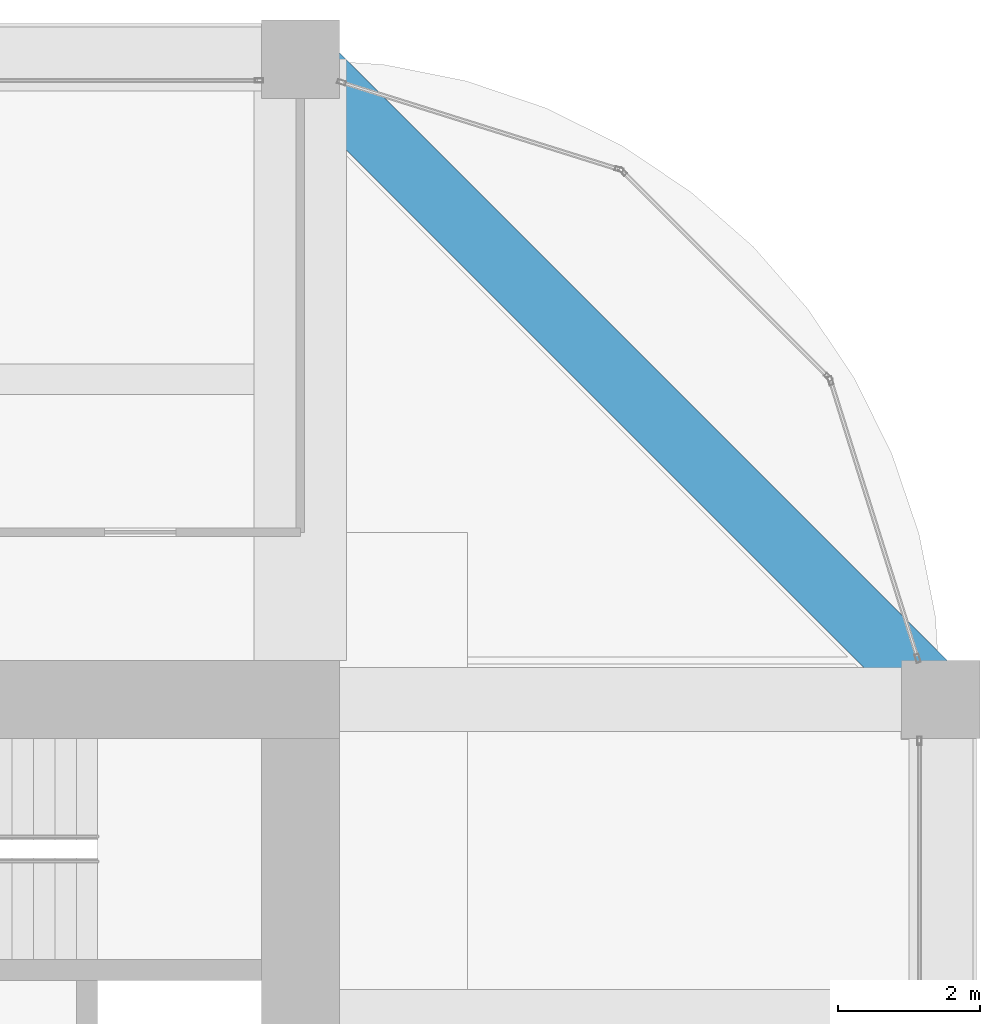
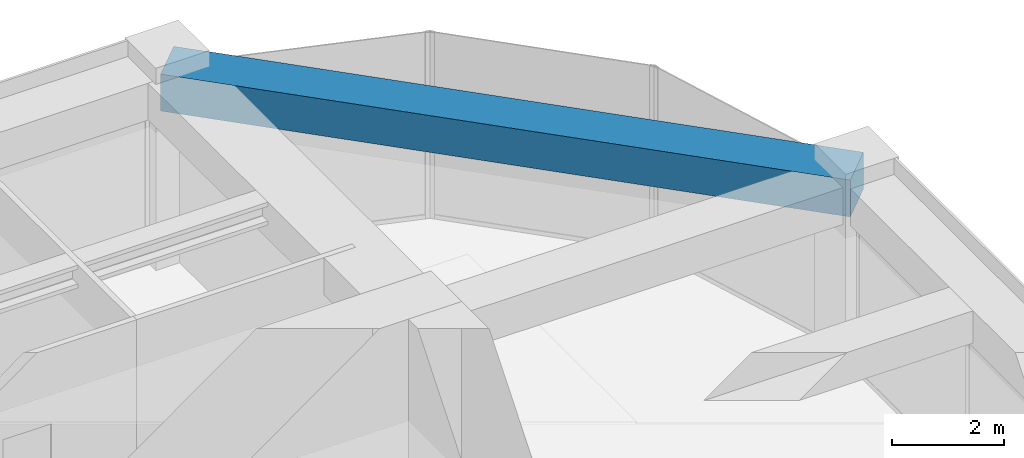
# One storey, part 38 of 44: 1 beam.
"""IFC4 building model written with IfcOpenShell, lengths in metres."""

from ifc_helpers import new_model, si_unit, direction, frame, origin, origin_2d, place, context, subcontext, project, spatial, rectangle, extrude, material, material_profile, profile_set, type_object, element, save


model = new_model("IFC4")

# Units and contexts
model_context = context("Model", 3, precision=1e-05, world=origin(), true_north=direction((0.0, 1.0)))
body_context = subcontext(model_context, "Body", "Model", "MODEL_VIEW")
ifc_project = project(units=[si_unit("LENGTHUNIT", "METRE"), si_unit("AREAUNIT", "SQUARE_METRE"), si_unit("VOLUMEUNIT", "CUBIC_METRE"), si_unit("PLANEANGLEUNIT", "RADIAN"), si_unit("MASSUNIT", "GRAM", prefix="KILO")], contexts=[model_context])

# Site, building, storey
site_placement = place(None, origin())
site = spatial("IfcSite", under=ifc_project, at=site_placement, CompositionType="ELEMENT")
building_placement = place(site_placement, origin())
building = spatial("IfcBuilding", under=site, at=building_placement, Name="Zorevar Civic Tower", CompositionType="ELEMENT")
storey_placement = place(building_placement, frame((0.0, 0.0, 307.39990234375)))
storey = spatial("IfcBuildingStorey", under=building, at=storey_placement, Name="L75", CompositionType="ELEMENT", Elevation=307.39990234375)

# Beam
ifc_material = material(Name="Concrete C50/60", Category="concrete")
ifc_material_profile = material_profile(ifc_material, rectangle(XDim=0.89990234375, YDim=0.800048828125, at=origin_2d()), Name="RC 900x800")
ifc_profile_set = profile_set([ifc_material_profile], Name="Concrete C50/60")
beam_type = type_object("IfcBeamType", Name="Edge beam RC 900x800", PredefinedType="SPANDREL", material=ifc_profile_set)
beam_placement = place(storey_placement, frame((54.0, 36.0, 3.650146484375), z_axis=(-0.707106781187, 0.707106781187, 0.0), x_axis=(-0.707106781187, -0.707106781187, 0.0)))
element("IfcBeam", 1, at=beam_placement, inside=storey, type_object=beam_type, Name="Corner edge beam RF", PredefinedType="SPANDREL", context=body_context, shape_type="SweptSolid", body=[
    extrude(rectangle(XDim=0.89990234375, YDim=0.800048828125, at=origin_2d()), origin(), (0.0, 0.0, 1.0), 12.72802734375),
])

save(model, "model.ifc")
